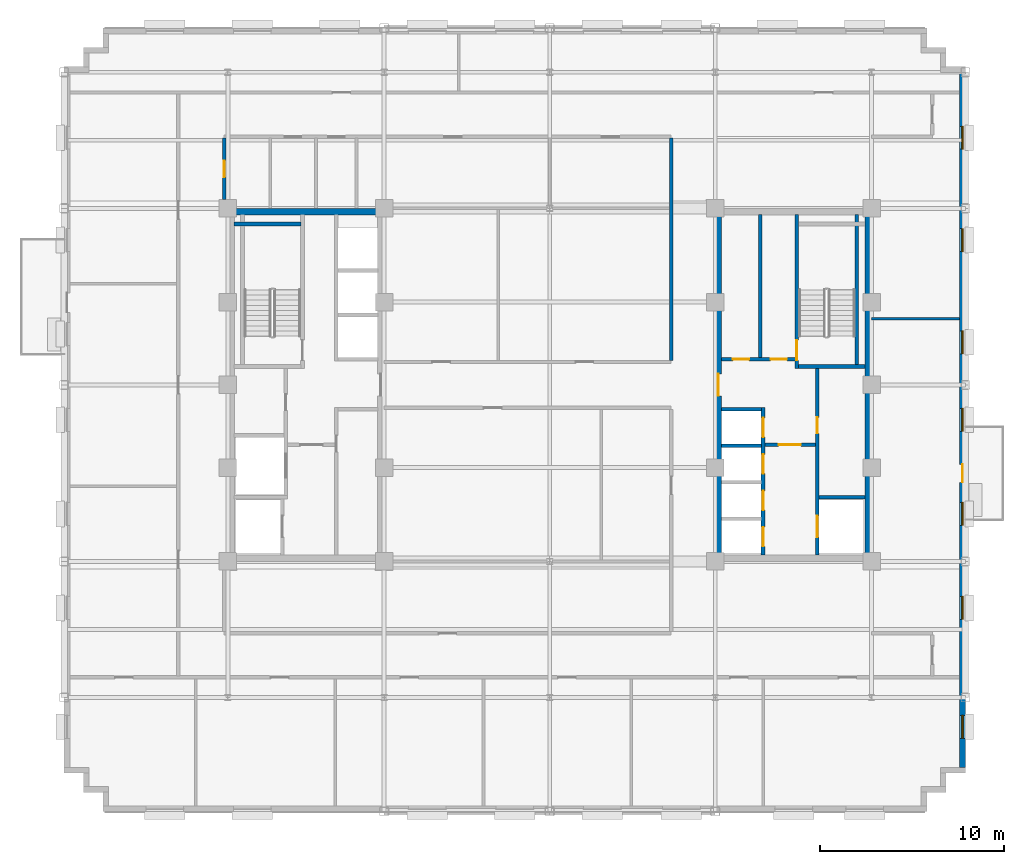
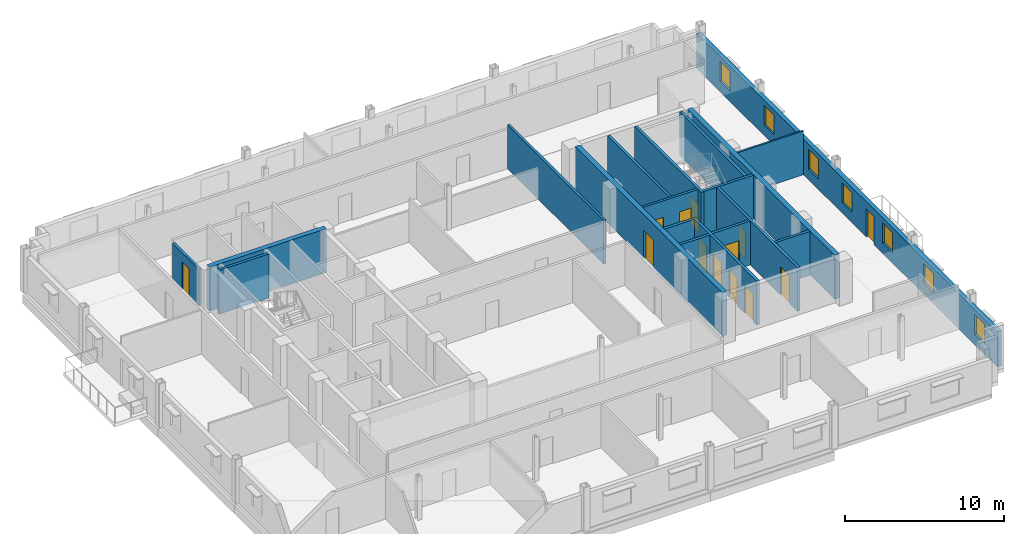
# One storey, part 9 of 15: 19 walls, 13 doors, 7 windows, 20 openings.
"""IFC4 building model written with IfcOpenShell, lengths in metres."""

from ifc_helpers import new_model, si_unit, direction, frame, frame_2d, origin, place, context, subcontext, project, spatial, rectangle, extrude, source, transform, mapped, material, layer, layer_set, type_object, type_shapes, element, fill, save


model = new_model("IFC4")

# Units and contexts
model_context = context("Model", 3, precision=1e-05, world=origin(), true_north=direction((0.0, 1.0)))
body_context = subcontext(model_context, "Body", "Model", "MODEL_VIEW")
ifc_project = project(units=[si_unit("LENGTHUNIT", "METRE"), si_unit("AREAUNIT", "SQUARE_METRE"), si_unit("VOLUMEUNIT", "CUBIC_METRE"), si_unit("PLANEANGLEUNIT", "RADIAN"), si_unit("MASSUNIT", "GRAM", prefix="KILO")], contexts=[model_context])

# Site, building, storey
site_placement = place(None, origin())
site = spatial("IfcSite", under=ifc_project, at=site_placement, CompositionType="ELEMENT")
building_placement = place(site_placement, origin())
building = spatial("IfcBuilding", under=site, at=building_placement, Name="Nuvemarco Arch Tower", CompositionType="ELEMENT")
storey_placement = place(building_placement, frame((0.0, 0.0, 194.550048828125)))
storey = spatial("IfcBuildingStorey", under=building, at=storey_placement, Name="L51", CompositionType="ELEMENT", Elevation=194.550048828125)

# Wall, openings, door, windows
ifc_material_1 = material(Name="Precast concrete C45/55", Category="concrete")
ifc_layer_1 = layer(ifc_material_1, 0.31005859375, Name="EW-UPP-310")
ifc_layer_set_1 = layer_set([ifc_layer_1], Name="Precast concrete C45/55")
wall_type_1 = type_object("IfcWallType", Name="EW-UPP-310", PredefinedType="STANDARD", material=ifc_layer_set_1)
wall_1_placement = place(storey_placement, frame((22.445068359375, -20.7939453125, 0.0), z_axis=(0.0, 0.0, 1.0), x_axis=(0.0, 1.0, 0.0)))
wall_1 = element("IfcWall", 1, at=wall_1_placement, inside=storey, type_object=wall_type_1, Name="L51 exterior precast facade wall 6", PredefinedType="STANDARD", context=body_context, shape_type="SweptSolid", body=[
    extrude(rectangle(XDim=37.787841796875, YDim=0.31005859375, at=frame_2d((18.89404296875, 0.0))), origin(), (0.0, 0.0, 1.0), 2.704833984375),
])
opening_1_placement = place(wall_1_placement, frame((16.473876953125, 0.0, 0.0), z_axis=(0.0, 0.0, 1.0), x_axis=(-1.0, 0.0, 0.0)))
opening_1 = element("IfcOpeningElement", 2, at=opening_1_placement, cuts=wall_1, Name="Opening ED-6", PredefinedType="OPENING", context=body_context, shape_type="SweptSolid", body=[
    extrude(rectangle(XDim=0.97998046875, YDim=2.14990234375, at=frame_2d((0.489990234375, 1.074951171875))), frame((0.0, 0.1650390625, 0.0), z_axis=(0.0, -1.0, 0.0), x_axis=(1.0, 0.0, 0.0)), (0.0, 0.0, 1.0), 0.330078125),
])
opening_2_placement = place(wall_1_placement, frame((1.581298828125, 0.0, 0.800048828125)))
opening_2 = element("IfcOpeningElement", 3, at=opening_2_placement, cuts=wall_1, Name="Opening WN-13", PredefinedType="OPENING", context=body_context, shape_type="SweptSolid", body=[
    extrude(rectangle(XDim=1.25, YDim=1.52001953125, at=frame_2d((0.625, 0.760009765625))), frame((0.0, 0.1650390625, 0.0), z_axis=(0.0, -1.0, 0.0), x_axis=(1.0, 0.0, 0.0)), (0.0, 0.0, 1.0), 0.330078125),
])
opening_3_placement = place(wall_1_placement, frame((8.0439453125, 0.0, 0.800048828125)))
opening_3 = element("IfcOpeningElement", 4, at=opening_3_placement, cuts=wall_1, Name="Opening WN-13", PredefinedType="OPENING", context=body_context, shape_type="SweptSolid", body=[
    extrude(rectangle(XDim=1.25, YDim=1.52001953125, at=frame_2d((0.625, 0.760009765625))), frame((0.0, 0.1650390625, 0.0), z_axis=(0.0, -1.0, 0.0), x_axis=(1.0, 0.0, 0.0)), (0.0, 0.0, 1.0), 0.330078125),
])
opening_4_placement = place(wall_1_placement, frame((13.156494140625, 0.0, 0.800048828125)))
opening_4 = element("IfcOpeningElement", 5, at=opening_4_placement, cuts=wall_1, Name="Opening WN-13", PredefinedType="OPENING", context=body_context, shape_type="SweptSolid", body=[
    extrude(rectangle(XDim=1.25, YDim=1.52001953125, at=frame_2d((0.625, 0.760009765625))), frame((0.0, 0.1650390625, 0.0), z_axis=(0.0, -1.0, 0.0), x_axis=(1.0, 0.0, 0.0)), (0.0, 0.0, 1.0), 0.330078125),
])
opening_5_placement = place(wall_1_placement, frame((18.26904296875, 0.0, 0.800048828125)))
opening_5 = element("IfcOpeningElement", 6, at=opening_5_placement, cuts=wall_1, Name="Opening WN-13", PredefinedType="OPENING", context=body_context, shape_type="SweptSolid", body=[
    extrude(rectangle(XDim=1.25, YDim=1.52001953125, at=frame_2d((0.625, 0.760009765625))), frame((0.0, 0.1650390625, 0.0), z_axis=(0.0, -1.0, 0.0), x_axis=(1.0, 0.0, 0.0)), (0.0, 0.0, 1.0), 0.330078125),
])
opening_6_placement = place(wall_1_placement, frame((22.481689453125, 0.0, 0.800048828125)))
opening_6 = element("IfcOpeningElement", 7, at=opening_6_placement, cuts=wall_1, Name="Opening WN-13", PredefinedType="OPENING", context=body_context, shape_type="SweptSolid", body=[
    extrude(rectangle(XDim=1.25, YDim=1.52001953125, at=frame_2d((0.625, 0.760009765625))), frame((0.0, 0.1650390625, 0.0), z_axis=(0.0, -1.0, 0.0), x_axis=(1.0, 0.0, 0.0)), (0.0, 0.0, 1.0), 0.330078125),
])
opening_7_placement = place(wall_1_placement, frame((28.044189453125, 0.0, 0.800048828125)))
opening_7 = element("IfcOpeningElement", 8, at=opening_7_placement, cuts=wall_1, Name="Opening WN-13", PredefinedType="OPENING", context=body_context, shape_type="SweptSolid", body=[
    extrude(rectangle(XDim=1.25, YDim=1.52001953125, at=frame_2d((0.625, 0.760009765625))), frame((0.0, 0.1650390625, 0.0), z_axis=(0.0, -1.0, 0.0), x_axis=(1.0, 0.0, 0.0)), (0.0, 0.0, 1.0), 0.330078125),
])
opening_8_placement = place(wall_1_placement, frame((33.606689453125, 0.0, 0.800048828125)))
opening_8 = element("IfcOpeningElement", 9, at=opening_8_placement, cuts=wall_1, Name="Opening WN-13", PredefinedType="OPENING", context=body_context, shape_type="SweptSolid", body=[
    extrude(rectangle(XDim=1.25, YDim=1.52001953125, at=frame_2d((0.625, 0.760009765625))), frame((0.0, 0.1650390625, 0.0), z_axis=(0.0, -1.0, 0.0), x_axis=(1.0, 0.0, 0.0)), (0.0, 0.0, 1.0), 0.330078125),
])
ifc_material_2 = material(Name="Anodised bronze and laminated glass", Category="glass")
door_type_1 = type_object("IfcDoorType", Name="DR-EXT-BALC", OperationType="NOTDEFINED", PredefinedType="DOOR", material=ifc_material_2)
shared_shape_1 = source(origin(), body_context, "Body", "SweptSolid", [
    extrude(rectangle(XDim=0.97998046875, YDim=2.14990234375, at=frame_2d((0.489990234375, 1.074951171875))), frame((0.0, 0.02490234375, 0.0), z_axis=(0.0, -1.0, 0.0), x_axis=(1.0, 0.0, 0.0)), (0.0, 0.0, 1.0), 0.050048828125),
])
type_shapes(door_type_1, [shared_shape_1])
door_1_placement = place(opening_1_placement, origin())
door_1 = element("IfcDoor", 10, at=door_1_placement, inside=storey, type_object=door_type_1, Name="L51 tree balcony access door", OperationType="SINGLE_SWING_RIGHT", OverallHeight=2.14990234375, OverallWidth=0.97998046875, PredefinedType="DOOR", context=body_context, shape_type="MappedRepresentation", body=[
    mapped(shared_shape_1, transform((0.0, 0.0, 0.0), scale=1.0)),
])
fill(opening_1, door_1)
ifc_material_3 = material(Name="Insulated solar-control glass", Category="glass")
window_type = type_object("IfcWindowType", Name="WN-SET-1250x1520", PartitioningType="SINGLE_PANEL", PredefinedType="WINDOW", material=ifc_material_3)
shared_shape_2 = source(origin(), body_context, "Body", "SweptSolid", [
    extrude(rectangle(XDim=1.25, YDim=1.52001953125, at=frame_2d((0.625, 0.760009765625))), frame((0.0, 0.030029296875, 0.0), z_axis=(0.0, -1.0, 0.0), x_axis=(1.0, 0.0, 0.0)), (0.0, 0.0, 1.0), 0.06005859375),
])
type_shapes(window_type, [shared_shape_2])
window_1_placement = place(opening_2_placement, origin())
window_1 = element("IfcWindow", 11, at=window_1_placement, inside=storey, type_object=window_type, Name="L51 punched facade window 1", OverallHeight=1.52001953125, OverallWidth=1.25, PartitioningType="SINGLE_PANEL", PredefinedType="WINDOW", context=body_context, shape_type="MappedRepresentation", body=[
    mapped(shared_shape_2, transform((0.0, 0.0, 0.0), scale=1.0)),
])
fill(opening_2, window_1)
window_2_placement = place(opening_3_placement, origin())
window_2 = element("IfcWindow", 12, at=window_2_placement, inside=storey, type_object=window_type, Name="L51 punched facade window 2", OverallHeight=1.52001953125, OverallWidth=1.25, PartitioningType="SINGLE_PANEL", PredefinedType="WINDOW", context=body_context, shape_type="MappedRepresentation", body=[
    mapped(shared_shape_2, transform((0.0, 0.0, 0.0), scale=1.0)),
])
fill(opening_3, window_2)
window_3_placement = place(opening_4_placement, origin())
window_3 = element("IfcWindow", 13, at=window_3_placement, inside=storey, type_object=window_type, Name="L51 punched facade window 3", OverallHeight=1.52001953125, OverallWidth=1.25, PartitioningType="SINGLE_PANEL", PredefinedType="WINDOW", context=body_context, shape_type="MappedRepresentation", body=[
    mapped(shared_shape_2, transform((0.0, 0.0, 0.0), scale=1.0)),
])
fill(opening_4, window_3)
window_4_placement = place(opening_5_placement, origin())
window_4 = element("IfcWindow", 14, at=window_4_placement, inside=storey, type_object=window_type, Name="L51 punched facade window 4", OverallHeight=1.52001953125, OverallWidth=1.25, PartitioningType="SINGLE_PANEL", PredefinedType="WINDOW", context=body_context, shape_type="MappedRepresentation", body=[
    mapped(shared_shape_2, transform((0.0, 0.0, 0.0), scale=1.0)),
])
fill(opening_5, window_4)
window_5_placement = place(opening_6_placement, origin())
window_5 = element("IfcWindow", 15, at=window_5_placement, inside=storey, type_object=window_type, Name="L51 punched facade window 5", OverallHeight=1.52001953125, OverallWidth=1.25, PartitioningType="SINGLE_PANEL", PredefinedType="WINDOW", context=body_context, shape_type="MappedRepresentation", body=[
    mapped(shared_shape_2, transform((0.0, 0.0, 0.0), scale=1.0)),
])
fill(opening_6, window_5)
window_6_placement = place(opening_7_placement, origin())
window_6 = element("IfcWindow", 16, at=window_6_placement, inside=storey, type_object=window_type, Name="L51 punched facade window 6", OverallHeight=1.52001953125, OverallWidth=1.25, PartitioningType="SINGLE_PANEL", PredefinedType="WINDOW", context=body_context, shape_type="MappedRepresentation", body=[
    mapped(shared_shape_2, transform((0.0, 0.0, 0.0), scale=1.0)),
])
fill(opening_7, window_6)
window_7_placement = place(opening_8_placement, origin())
window_7 = element("IfcWindow", 17, at=window_7_placement, inside=storey, type_object=window_type, Name="L51 punched facade window 7", OverallHeight=1.52001953125, OverallWidth=1.25, PartitioningType="SINGLE_PANEL", PredefinedType="WINDOW", context=body_context, shape_type="MappedRepresentation", body=[
    mapped(shared_shape_2, transform((0.0, 0.0, 0.0), scale=1.0)),
])
fill(opening_8, window_7)

# Wall
ifc_material_4 = material(Name="Concrete C50/60", Category="concrete")
ifc_layer_2 = layer(ifc_material_4, 0.35009765625, Name="WL-CORE-350")
ifc_layer_set_2 = layer_set([ifc_layer_2], Name="Concrete C50/60")
wall_type_2 = type_object("IfcWallType", Name="WL-CORE-350", PredefinedType="SHEAR", material=ifc_layer_set_2)
wall_2_placement = place(storey_placement, frame((-17.5, 9.425048828125, 0.0), z_axis=(0.0, 0.0, 1.0), x_axis=(1.0, 0.0, 0.0)))
element("IfcWall", 18, at=wall_2_placement, inside=storey, type_object=wall_type_2, Name="L51 W-core shear wall N", PredefinedType="SHEAR", context=body_context, shape_type="SweptSolid", body=[
    extrude(rectangle(XDim=8.5, YDim=0.35009765625, at=frame_2d((4.25, 0.0))), origin(), (0.0, 0.0, 1.0), 3.369873046875),
])

# Wall, opening, door
wall_3_placement = place(storey_placement, frame((9.175048828125, -9.2548828125, 0.0), z_axis=(0.0, 0.0, 1.0), x_axis=(0.0, 1.0, 0.0)))
wall_3 = element("IfcWall", 19, at=wall_3_placement, inside=storey, type_object=wall_type_2, Name="L51 E-core shear wall W", PredefinedType="SHEAR", context=body_context, shape_type="SweptSolid", body=[
    extrude(rectangle(XDim=18.509765625, YDim=0.35009765625, at=frame_2d((9.2548828125, 0.0))), origin(), (0.0, 0.0, 1.0), 3.369873046875),
])
opening_9_placement = place(wall_3_placement, frame((8.655029296875, 0.0, 0.0)))
opening_9 = element("IfcOpeningElement", 20, at=opening_9_placement, cuts=wall_3, Name="Opening FD-2", PredefinedType="OPENING", context=body_context, shape_type="SweptSolid", body=[
    extrude(rectangle(XDim=1.199951171875, YDim=2.14990234375, at=frame_2d((0.60009765625, 1.074951171875))), frame((0.0, 0.18505859375, 0.0), z_axis=(0.0, -1.0, 0.0), x_axis=(1.0, 0.0, 0.0)), (0.0, 0.0, 1.0), 0.3701171875),
])
ifc_material_5 = material(Name="Anodised steel fire door", Category="steel")
door_type_2 = type_object("IfcDoorType", Name="DR-FFLOB-FD", OperationType="NOTDEFINED", PredefinedType="DOOR", material=ifc_material_5)
shared_shape_3 = source(origin(), body_context, "Body", "SweptSolid", [
    extrude(rectangle(XDim=1.199951171875, YDim=2.14990234375, at=frame_2d((0.60009765625, 1.074951171875))), frame((0.0, 0.02490234375, 0.0), z_axis=(0.0, -1.0, 0.0), x_axis=(1.0, 0.0, 0.0)), (0.0, 0.0, 1.0), 0.050048828125),
])
type_shapes(door_type_2, [shared_shape_3])
door_2_placement = place(opening_9_placement, origin())
door_2 = element("IfcDoor", 21, at=door_2_placement, inside=storey, type_object=door_type_2, Name="L51 door FD-L51-ECORE-W", OperationType="SINGLE_SWING_RIGHT", OverallHeight=2.14990234375, OverallWidth=1.199951171875, PredefinedType="DOOR", context=body_context, shape_type="MappedRepresentation", body=[
    mapped(shared_shape_3, transform((0.0, 0.0, 0.0), scale=1.0)),
])
fill(opening_9, door_2)

# Wall
wall_4_placement = place(storey_placement, frame((17.324951171875, -9.2548828125, 0.0), z_axis=(0.0, 0.0, 1.0), x_axis=(0.0, 1.0, 0.0)))
element("IfcWall", 22, at=wall_4_placement, inside=storey, type_object=wall_type_2, Name="L51 E-core shear wall E", PredefinedType="SHEAR", context=body_context, shape_type="SweptSolid", body=[
    extrude(rectangle(XDim=18.509765625, YDim=0.35009765625, at=frame_2d((9.2548828125, 0.0))), origin(), (0.0, 0.0, 1.0), 3.369873046875),
])

# Wall, openings, doors
ifc_material_6 = material(Name="Fire-rated gypsum drywall partition")
ifc_layer_3 = layer(ifc_material_6, 0.179931640625, Name="WL-CORR-180")
ifc_layer_set_3 = layer_set([ifc_layer_3], Name="Fire-rated gypsum drywall partition")
wall_type_3 = type_object("IfcWallType", Name="WL-CORR-180", PredefinedType="PARTITIONING", material=ifc_layer_set_3)
wall_5_placement = place(storey_placement, frame((9.344970703125, 1.39990234375, 0.0), z_axis=(0.0, 0.0, 1.0), x_axis=(1.0, 0.0, 0.0)))
wall_5 = element("IfcWall", 23, at=wall_5_placement, inside=storey, type_object=wall_type_3, Name="L51 interior wall IW-L51-EK-S", PredefinedType="PARTITIONING", context=body_context, shape_type="SweptSolid", body=[
    extrude(rectangle(XDim=4.0, YDim=0.179931640625, at=frame_2d((2.0, 0.0))), origin(), (0.0, 0.0, 1.0), 3.35986328125),
])
opening_10_placement = place(wall_5_placement, frame((0.614990234375, 0.0, 0.0)))
opening_10 = element("IfcOpeningElement", 24, at=opening_10_placement, cuts=wall_5, Name="Opening FD-4", PredefinedType="OPENING", context=body_context, shape_type="SweptSolid", body=[
    extrude(rectangle(XDim=0.8798828125, YDim=2.10009765625, at=frame_2d((0.43994140625, 1.050048828125))), frame((0.0, 0.099853515625, 0.0), z_axis=(0.0, -1.0, 0.0), x_axis=(1.0, 0.0, 0.0)), (0.0, 0.0, 1.0), 0.199951171875),
])
opening_11_placement = place(wall_5_placement, frame((2.6650390625, 0.0, 0.0)))
opening_11 = element("IfcOpeningElement", 25, at=opening_11_placement, cuts=wall_5, Name="Opening FD-4", PredefinedType="OPENING", context=body_context, shape_type="SweptSolid", body=[
    extrude(rectangle(XDim=0.8798828125, YDim=2.10009765625, at=frame_2d((0.43994140625, 1.050048828125))), frame((0.0, 0.099853515625, 0.0), z_axis=(0.0, -1.0, 0.0), x_axis=(1.0, 0.0, 0.0)), (0.0, 0.0, 1.0), 0.199951171875),
])
door_type_3 = type_object("IfcDoorType", Name="DR-RISER-FD", OperationType="NOTDEFINED", PredefinedType="DOOR", material=ifc_material_5)
shared_shape_4 = source(origin(), body_context, "Body", "SweptSolid", [
    extrude(rectangle(XDim=0.8798828125, YDim=2.10009765625, at=frame_2d((0.43994140625, 1.050048828125))), frame((0.0, 0.02490234375, 0.0), z_axis=(0.0, -1.0, 0.0), x_axis=(1.0, 0.0, 0.0)), (0.0, 0.0, 1.0), 0.050048828125),
])
type_shapes(door_type_3, [shared_shape_4])
door_3_placement = place(opening_10_placement, origin())
door_3 = element("IfcDoor", 26, at=door_3_placement, inside=storey, type_object=door_type_3, Name="L51 door FD-L51-EK2A", OperationType="SINGLE_SWING_LEFT", OverallHeight=2.10009765625, OverallWidth=0.8798828125, PredefinedType="DOOR", context=body_context, shape_type="MappedRepresentation", body=[
    mapped(shared_shape_4, transform((0.0, 0.0, 0.0), scale=1.0)),
])
fill(opening_10, door_3)
door_4_placement = place(opening_11_placement, origin())
door_4 = element("IfcDoor", 27, at=door_4_placement, inside=storey, type_object=door_type_3, Name="L51 door FD-L51-EK2B", OperationType="SINGLE_SWING_RIGHT", OverallHeight=2.10009765625, OverallWidth=0.8798828125, PredefinedType="DOOR", context=body_context, shape_type="MappedRepresentation", body=[
    mapped(shared_shape_4, transform((0.0, 0.0, 0.0), scale=1.0)),
])
fill(opening_11, door_4)

# Wall
wall_6_placement = place(storey_placement, frame((11.449951171875, 1.489990234375, 0.0), z_axis=(0.0, 0.0, 1.0), x_axis=(0.0, 1.0, 0.0)))
element("IfcWall", 28, at=wall_6_placement, inside=storey, type_object=wall_type_3, Name="L51 interior wall IW-L51-EK2", PredefinedType="PARTITIONING", context=body_context, shape_type="SweptSolid", body=[
    extrude(rectangle(XDim=7.764892578125, YDim=0.179931640625, at=frame_2d((3.88232421875, 0.0))), origin(), (0.0, 0.0, 1.0), 3.35986328125),
])

# Wall, opening, door
wall_7_placement = place(storey_placement, frame((-17.699951171875, 10.071044921875, 0.0), z_axis=(0.0, 0.0, 1.0), x_axis=(0.0, 1.0, 0.0)))
wall_7 = element("IfcWall", 29, at=wall_7_placement, inside=storey, type_object=wall_type_3, Name="L51 interior wall IW-L51-019", PredefinedType="PARTITIONING", context=body_context, shape_type="SweptSolid", body=[
    extrude(rectangle(XDim=3.343017578125, YDim=0.179931640625, at=frame_2d((1.67138671875, 0.0))), origin(), (0.0, 0.0, 1.0), 2.81591796875),
])
opening_12_placement = place(wall_7_placement, frame((1.221435546875, 0.0, 0.0)))
opening_12 = element("IfcOpeningElement", 30, at=opening_12_placement, cuts=wall_7, Name="Opening ID-3", PredefinedType="OPENING", context=body_context, shape_type="SweptSolid", body=[
    extrude(rectangle(XDim=0.89990234375, YDim=2.10009765625, at=frame_2d((0.449951171875, 1.050048828125))), frame((0.0, 0.099853515625, 0.0), z_axis=(0.0, -1.0, 0.0), x_axis=(1.0, 0.0, 0.0)), (0.0, 0.0, 1.0), 0.199951171875),
])
ifc_material_7 = material(Name="Veneered oak timber fire door", Category="wood")
door_type_4 = type_object("IfcDoorType", Name="DR-WC-ACC", OperationType="NOTDEFINED", PredefinedType="DOOR", material=ifc_material_7)
shared_shape_5 = source(origin(), body_context, "Body", "SweptSolid", [
    extrude(rectangle(XDim=0.89990234375, YDim=2.10009765625, at=frame_2d((0.449951171875, 1.050048828125))), frame((0.0, 0.02490234375, 0.0), z_axis=(0.0, -1.0, 0.0), x_axis=(1.0, 0.0, 0.0)), (0.0, 0.0, 1.0), 0.050048828125),
])
type_shapes(door_type_4, [shared_shape_5])
door_5_placement = place(opening_12_placement, origin())
door_5 = element("IfcDoor", 31, at=door_5_placement, inside=storey, type_object=door_type_4, Name="L51 door DR-L51-WC_M", OperationType="SINGLE_SWING_LEFT", OverallHeight=2.10009765625, OverallWidth=0.89990234375, PredefinedType="DOOR", context=body_context, shape_type="MappedRepresentation", body=[
    mapped(shared_shape_5, transform((0.0, 0.0, 0.0), scale=1.0)),
])
fill(opening_12, door_5)

# Walls
wall_8_placement = place(storey_placement, frame((6.60009765625, 1.3359375, 0.0), z_axis=(0.0, 0.0, 1.0), x_axis=(0.0, 1.0, 0.0)))
element("IfcWall", 32, at=wall_8_placement, inside=storey, type_object=wall_type_3, Name="L51 interior wall IW-L51-031", PredefinedType="PARTITIONING", context=body_context, shape_type="SweptSolid", body=[
    extrude(rectangle(XDim=12.078125, YDim=0.179931640625, at=frame_2d((6.0390625, 0.0))), origin(), (0.0, 0.0, 1.0), 3.35986328125),
])
ifc_material_8 = material(Name="Glazed acoustic office partition")
ifc_layer_4 = layer(ifc_material_8, 0.1298828125, Name="WL-EXEC-130")
ifc_layer_set_4 = layer_set([ifc_layer_4], Name="Glazed acoustic office partition")
wall_type_4 = type_object("IfcWallType", Name="WL-EXEC-130", PredefinedType="PARTITIONING", material=ifc_layer_set_4)
wall_9_placement = place(storey_placement, frame((17.5, 3.60009765625, 0.0), z_axis=(0.0, 0.0, 1.0), x_axis=(1.0, 0.0, 0.0)))
element("IfcWall", 33, at=wall_9_placement, inside=storey, type_object=wall_type_4, Name="L51 interior wall IW-L51-009", PredefinedType="PARTITIONING", context=body_context, shape_type="SweptSolid", body=[
    extrude(rectangle(XDim=4.7900390625, YDim=0.1298828125, at=frame_2d((2.39501953125, 0.0))), origin(), (0.0, 0.0, 1.0), 3.35986328125),
])
ifc_layer_5 = layer(ifc_material_4, 0.199951171875, Name="WL-SHAFT-220")
ifc_layer_set_5 = layer_set([ifc_layer_5], Name="Concrete C50/60")
wall_type_5 = type_object("IfcWallType", Name="WL-SHAFT-220", PredefinedType="SHEAR", material=ifc_layer_set_5)
wall_10_placement = place(storey_placement, frame((-17.155029296875, 8.75, 0.0), z_axis=(0.0, 0.0, 1.0), x_axis=(1.0, 0.0, 0.0)))
element("IfcWall", 34, at=wall_10_placement, inside=storey, type_object=wall_type_5, Name="L51 structural shaft wall SW-L51-W-ST1N", PredefinedType="SHEAR", context=body_context, shape_type="SweptSolid", body=[
    extrude(rectangle(XDim=3.6201171875, YDim=0.199951171875, at=frame_2d((1.81005859375, 0.0))), origin(), (0.0, 0.0, 1.0), 3.369873046875),
])

# Wall, opening, door
wall_11_placement = place(storey_placement, frame((13.43994140625, 0.89990234375, 0.0), z_axis=(0.0, 0.0, 1.0), x_axis=(0.0, 1.0, 0.0)))
wall_11 = element("IfcWall", 35, at=wall_11_placement, inside=storey, type_object=wall_type_5, Name="L51 structural shaft wall SW-L51-E-ST2W", PredefinedType="SHEAR", context=body_context, shape_type="SweptSolid", body=[
    extrude(rectangle(XDim=8.35498046875, YDim=0.199951171875, at=frame_2d((4.177490234375, 0.0))), origin(), (0.0, 0.0, 1.0), 3.369873046875),
])
opening_13_placement = place(wall_11_placement, frame((0.429931640625, 0.0, 0.0)))
opening_13 = element("IfcOpeningElement", 36, at=opening_13_placement, cuts=wall_11, Name="Opening FD-1", PredefinedType="OPENING", context=body_context, shape_type="SweptSolid", body=[
    extrude(rectangle(XDim=1.10009765625, YDim=2.14990234375, at=frame_2d((0.550048828125, 1.074951171875))), frame((0.0, 0.10986328125, 0.0), z_axis=(0.0, -1.0, 0.0), x_axis=(1.0, 0.0, 0.0)), (0.0, 0.0, 1.0), 0.219970703125),
])
door_type_5 = type_object("IfcDoorType", Name="DR-STAIR-FD", OperationType="NOTDEFINED", PredefinedType="DOOR", material=ifc_material_5)
shared_shape_6 = source(origin(), body_context, "Body", "SweptSolid", [
    extrude(rectangle(XDim=1.10009765625, YDim=2.14990234375, at=frame_2d((0.550048828125, 1.074951171875))), frame((0.0, 0.02490234375, 0.0), z_axis=(0.0, -1.0, 0.0), x_axis=(1.0, 0.0, 0.0)), (0.0, 0.0, 1.0), 0.050048828125),
])
type_shapes(door_type_5, [shared_shape_6])
door_6_placement = place(opening_13_placement, origin())
door_6 = element("IfcDoor", 37, at=door_6_placement, inside=storey, type_object=door_type_5, Name="L51 door FD-L51-ST2", OperationType="SINGLE_SWING_LEFT", OverallHeight=2.14990234375, OverallWidth=1.10009765625, PredefinedType="DOOR", context=body_context, shape_type="MappedRepresentation", body=[
    mapped(shared_shape_6, transform((0.0, 0.0, 0.0), scale=1.0)),
])
fill(opening_13, door_6)

# Walls
wall_12_placement = place(storey_placement, frame((13.534912109375, 1.0, 0.0), z_axis=(0.0, 0.0, 1.0), x_axis=(1.0, 0.0, 0.0)))
element("IfcWall", 38, at=wall_12_placement, inside=storey, type_object=wall_type_5, Name="L51 structural shaft wall SW-L51-E-ST2S", PredefinedType="SHEAR", context=body_context, shape_type="SweptSolid", body=[
    extrude(rectangle(XDim=3.6201171875, YDim=0.199951171875, at=frame_2d((1.81005859375, 0.0))), origin(), (0.0, 0.0, 1.0), 3.369873046875),
])
wall_13_placement = place(storey_placement, frame((16.699951171875, 1.094970703125, 0.0), z_axis=(0.0, 0.0, 1.0), x_axis=(0.0, 1.0, 0.0)))
element("IfcWall", 39, at=wall_13_placement, inside=storey, type_object=wall_type_5, Name="L51 structural shaft wall SW-L51-E-ST2E", PredefinedType="SHEAR", context=body_context, shape_type="SweptSolid", body=[
    extrude(rectangle(XDim=8.159912109375, YDim=0.199951171875, at=frame_2d((4.080078125, 0.0))), origin(), (0.0, 0.0, 1.0), 3.369873046875),
])

# Wall, openings, doors
wall_14_placement = place(storey_placement, frame((14.550048828125, -9.2548828125, 0.0), z_axis=(0.0, 0.0, 1.0), x_axis=(0.0, 1.0, 0.0)))
wall_14 = element("IfcWall", 40, at=wall_14_placement, inside=storey, type_object=wall_type_5, Name="L51 structural shaft wall SW-L51-E-SHW", PredefinedType="SHEAR", context=body_context, shape_type="SweptSolid", body=[
    extrude(rectangle(XDim=10.159912109375, YDim=0.199951171875, at=frame_2d((5.080078125, 0.0))), origin(), (0.0, 0.0, 1.0), 3.369873046875),
])
opening_14_placement = place(wall_14_placement, frame((6.614990234375, 0.0, 0.0)))
opening_14 = element("IfcOpeningElement", 41, at=opening_14_placement, cuts=wall_14, Name="Opening FD-4", PredefinedType="OPENING", context=body_context, shape_type="SweptSolid", body=[
    extrude(rectangle(XDim=0.8798828125, YDim=2.10009765625, at=frame_2d((0.43994140625, 1.050048828125))), frame((0.0, 0.10986328125, 0.0), z_axis=(0.0, -1.0, 0.0), x_axis=(1.0, 0.0, 0.0)), (0.0, 0.0, 1.0), 0.219970703125),
])
opening_15_placement = place(wall_14_placement, frame((0.97998046875, 0.0, 0.0)))
opening_15 = element("IfcOpeningElement", 42, at=opening_15_placement, cuts=wall_14, Name="Opening LD-2", PredefinedType="OPENING", context=body_context, shape_type="SweptSolid", body=[
    extrude(rectangle(XDim=1.14990234375, YDim=2.14990234375, at=frame_2d((0.574951171875, 1.074951171875))), frame((0.0, 0.10986328125, 0.0), z_axis=(0.0, -1.0, 0.0), x_axis=(1.0, 0.0, 0.0)), (0.0, 0.0, 1.0), 0.219970703125),
])
door_7_placement = place(opening_14_placement, origin())
door_7 = element("IfcDoor", 43, at=door_7_placement, inside=storey, type_object=door_type_3, Name="L51 door FD-L51-ERIS", OperationType="SINGLE_SWING_LEFT", OverallHeight=2.10009765625, OverallWidth=0.8798828125, PredefinedType="DOOR", context=body_context, shape_type="MappedRepresentation", body=[
    mapped(shared_shape_4, transform((0.0, 0.0, 0.0), scale=1.0)),
])
fill(opening_14, door_7)
ifc_material_9 = material(Name="Stainless steel lift door", Category="steel")
door_type_6 = type_object("IfcDoorType", Name="DR-LIFT-FIRE", OperationType="DOUBLE_DOOR_SLIDING", PredefinedType="DOOR", material=ifc_material_9)
shared_shape_7 = source(origin(), body_context, "Body", "SweptSolid", [
    extrude(rectangle(XDim=1.14990234375, YDim=2.14990234375, at=frame_2d((0.574951171875, 1.074951171875))), frame((0.0, 0.02490234375, 0.0), z_axis=(0.0, -1.0, 0.0), x_axis=(1.0, 0.0, 0.0)), (0.0, 0.0, 1.0), 0.050048828125),
])
type_shapes(door_type_6, [shared_shape_7])
door_8_placement = place(opening_15_placement, origin())
door_8 = element("IfcDoor", 44, at=door_8_placement, inside=storey, type_object=door_type_6, Name="L51 Lift landing sliding door FFL-2", OperationType="DOUBLE_DOOR_SLIDING", OverallHeight=2.14990234375, OverallWidth=1.14990234375, PredefinedType="DOOR", context=body_context, shape_type="MappedRepresentation", body=[
    mapped(shared_shape_7, transform((0.0, 0.0, 0.0), scale=1.0)),
])
fill(opening_15, door_8)

# Wall
wall_15_placement = place(storey_placement, frame((14.64501953125, -6.10009765625, 0.0), z_axis=(0.0, 0.0, 1.0), x_axis=(1.0, 0.0, 0.0)))
element("IfcWall", 45, at=wall_15_placement, inside=storey, type_object=wall_type_5, Name="L51 structural shaft wall SW-L51-E-SH1", PredefinedType="SHEAR", context=body_context, shape_type="SweptSolid", body=[
    extrude(rectangle(XDim=2.510009765625, YDim=0.199951171875, at=frame_2d((1.2548828125, 0.0))), origin(), (0.0, 0.0, 1.0), 3.369873046875),
])

# Wall, openings, doors
wall_16_placement = place(storey_placement, frame((11.60009765625, -9.2548828125, 0.0), z_axis=(0.0, 0.0, 1.0), x_axis=(0.0, 1.0, 0.0)))
wall_16 = element("IfcWall", 46, at=wall_16_placement, inside=storey, type_object=wall_type_5, Name="L51 structural shaft wall SW-L51-E-PME", PredefinedType="SHEAR", context=body_context, shape_type="SweptSolid", body=[
    extrude(rectangle(XDim=8.02490234375, YDim=0.199951171875, at=frame_2d((4.012451171875, 0.0))), origin(), (0.0, 0.0, 1.0), 3.369873046875),
])
opening_16_placement = place(wall_16_placement, frame((0.469970703125, 0.0, 0.0)))
opening_16 = element("IfcOpeningElement", 47, at=opening_16_placement, cuts=wall_16, Name="Opening LD-1", PredefinedType="OPENING", context=body_context, shape_type="SweptSolid", body=[
    extrude(rectangle(XDim=1.050048828125, YDim=2.14990234375, at=frame_2d((0.52490234375, 1.074951171875))), frame((0.0, 0.10986328125, 0.0), z_axis=(0.0, -1.0, 0.0), x_axis=(1.0, 0.0, 0.0)), (0.0, 0.0, 1.0), 0.219970703125),
])
opening_17_placement = place(wall_16_placement, frame((2.449951171875, 0.0, 0.0)))
opening_17 = element("IfcOpeningElement", 48, at=opening_17_placement, cuts=wall_16, Name="Opening LD-1", PredefinedType="OPENING", context=body_context, shape_type="SweptSolid", body=[
    extrude(rectangle(XDim=1.050048828125, YDim=2.14990234375, at=frame_2d((0.52490234375, 1.074951171875))), frame((0.0, 0.10986328125, 0.0), z_axis=(0.0, -1.0, 0.0), x_axis=(1.0, 0.0, 0.0)), (0.0, 0.0, 1.0), 0.219970703125),
])
opening_18_placement = place(wall_16_placement, frame((4.429931640625, 0.0, 0.0)))
opening_18 = element("IfcOpeningElement", 49, at=opening_18_placement, cuts=wall_16, Name="Opening LD-1", PredefinedType="OPENING", context=body_context, shape_type="SweptSolid", body=[
    extrude(rectangle(XDim=1.050048828125, YDim=2.14990234375, at=frame_2d((0.52490234375, 1.074951171875))), frame((0.0, 0.10986328125, 0.0), z_axis=(0.0, -1.0, 0.0), x_axis=(1.0, 0.0, 0.0)), (0.0, 0.0, 1.0), 0.219970703125),
])
opening_19_placement = place(wall_16_placement, frame((6.409912109375, 0.0, 0.0)))
opening_19 = element("IfcOpeningElement", 50, at=opening_19_placement, cuts=wall_16, Name="Opening LD-1", PredefinedType="OPENING", context=body_context, shape_type="SweptSolid", body=[
    extrude(rectangle(XDim=1.050048828125, YDim=2.14990234375, at=frame_2d((0.52490234375, 1.074951171875))), frame((0.0, 0.10986328125, 0.0), z_axis=(0.0, -1.0, 0.0), x_axis=(1.0, 0.0, 0.0)), (0.0, 0.0, 1.0), 0.219970703125),
])
door_type_7 = type_object("IfcDoorType", Name="DR-LIFT-PASS", OperationType="DOUBLE_DOOR_SLIDING", PredefinedType="DOOR", material=ifc_material_9)
shared_shape_8 = source(origin(), body_context, "Body", "SweptSolid", [
    extrude(rectangle(XDim=1.050048828125, YDim=2.14990234375, at=frame_2d((0.52490234375, 1.074951171875))), frame((0.0, 0.02490234375, 0.0), z_axis=(0.0, -1.0, 0.0), x_axis=(1.0, 0.0, 0.0)), (0.0, 0.0, 1.0), 0.050048828125),
])
type_shapes(door_type_7, [shared_shape_8])
door_9_placement = place(opening_16_placement, origin())
door_9 = element("IfcDoor", 51, at=door_9_placement, inside=storey, type_object=door_type_7, Name="L51 Lift landing sliding door PM-1", OperationType="DOUBLE_DOOR_SLIDING", OverallHeight=2.14990234375, OverallWidth=1.050048828125, PredefinedType="DOOR", context=body_context, shape_type="MappedRepresentation", body=[
    mapped(shared_shape_8, transform((0.0, 0.0, 0.0), scale=1.0)),
])
fill(opening_16, door_9)
door_10_placement = place(opening_17_placement, origin())
door_10 = element("IfcDoor", 52, at=door_10_placement, inside=storey, type_object=door_type_7, Name="L51 Lift landing sliding door PM-2", OperationType="DOUBLE_DOOR_SLIDING", OverallHeight=2.14990234375, OverallWidth=1.050048828125, PredefinedType="DOOR", context=body_context, shape_type="MappedRepresentation", body=[
    mapped(shared_shape_8, transform((0.0, 0.0, 0.0), scale=1.0)),
])
fill(opening_17, door_10)
door_11_placement = place(opening_18_placement, origin())
door_11 = element("IfcDoor", 53, at=door_11_placement, inside=storey, type_object=door_type_7, Name="L51 Lift landing sliding door PM-3", OperationType="DOUBLE_DOOR_SLIDING", OverallHeight=2.14990234375, OverallWidth=1.050048828125, PredefinedType="DOOR", context=body_context, shape_type="MappedRepresentation", body=[
    mapped(shared_shape_8, transform((0.0, 0.0, 0.0), scale=1.0)),
])
fill(opening_18, door_11)
door_12_placement = place(opening_19_placement, origin())
door_12 = element("IfcDoor", 54, at=door_12_placement, inside=storey, type_object=door_type_7, Name="L51 Lift landing sliding door PM-4", OperationType="DOUBLE_DOOR_SLIDING", OverallHeight=2.14990234375, OverallWidth=1.050048828125, PredefinedType="DOOR", context=body_context, shape_type="MappedRepresentation", body=[
    mapped(shared_shape_8, transform((0.0, 0.0, 0.0), scale=1.0)),
])
fill(opening_19, door_12)

# Wall, opening, door
wall_17_placement = place(storey_placement, frame((11.695068359375, -3.25, 0.0), z_axis=(0.0, 0.0, 1.0), x_axis=(1.0, 0.0, 0.0)))
wall_17 = element("IfcWall", 55, at=wall_17_placement, inside=storey, type_object=wall_type_5, Name="L51 structural shaft wall SW-L51-E-FFN", PredefinedType="SHEAR", context=body_context, shape_type="SweptSolid", body=[
    extrude(rectangle(XDim=2.760009765625, YDim=0.199951171875, at=frame_2d((1.3798828125, 0.0))), origin(), (0.0, 0.0, 1.0), 3.369873046875),
])
opening_20_placement = place(wall_17_placement, frame((0.7548828125, 0.0, 0.0)))
opening_20 = element("IfcOpeningElement", 56, at=opening_20_placement, cuts=wall_17, Name="Opening FD-2", PredefinedType="OPENING", context=body_context, shape_type="SweptSolid", body=[
    extrude(rectangle(XDim=1.199951171875, YDim=2.14990234375, at=frame_2d((0.60009765625, 1.074951171875))), frame((0.0, 0.10986328125, 0.0), z_axis=(0.0, -1.0, 0.0), x_axis=(1.0, 0.0, 0.0)), (0.0, 0.0, 1.0), 0.219970703125),
])
door_13_placement = place(opening_20_placement, origin())
door_13 = element("IfcDoor", 57, at=door_13_placement, inside=storey, type_object=door_type_2, Name="L51 door FD-L51-EFF2", OperationType="SINGLE_SWING_LEFT", OverallHeight=2.14990234375, OverallWidth=1.199951171875, PredefinedType="DOOR", context=body_context, shape_type="MappedRepresentation", body=[
    mapped(shared_shape_3, transform((0.0, 0.0, 0.0), scale=1.0)),
])
fill(opening_20, door_13)

# Walls
for number, where, z_axis, x_axis, name in (
    (58, (9.344970703125, -3.31005859375, 0.0), (0.0, 0.0, 1.0), (1.0, 0.0, 0.0), "L51 structural shaft wall SW-L51-E-PMD3"),
    (59, (9.344970703125, -1.330078125, 0.0), (0.0, 0.0, 1.0), (1.0, 0.0, 0.0), "L51 structural shaft wall SW-L51-E-PMD4"),
):
    element("IfcWall", number, at=place(storey_placement, frame(where, z_axis=z_axis, x_axis=x_axis)), inside=storey, type_object=wall_type_5, Name=name, PredefinedType="SHEAR", context=body_context, shape_type="SweptSolid", body=[
        extrude(rectangle(XDim=2.159912109375, YDim=0.199951171875, at=frame_2d((1.080078125, 0.0))), origin(), (0.0, 0.0, 1.0), 3.369873046875),
    ])

save(model, "model.ifc")
